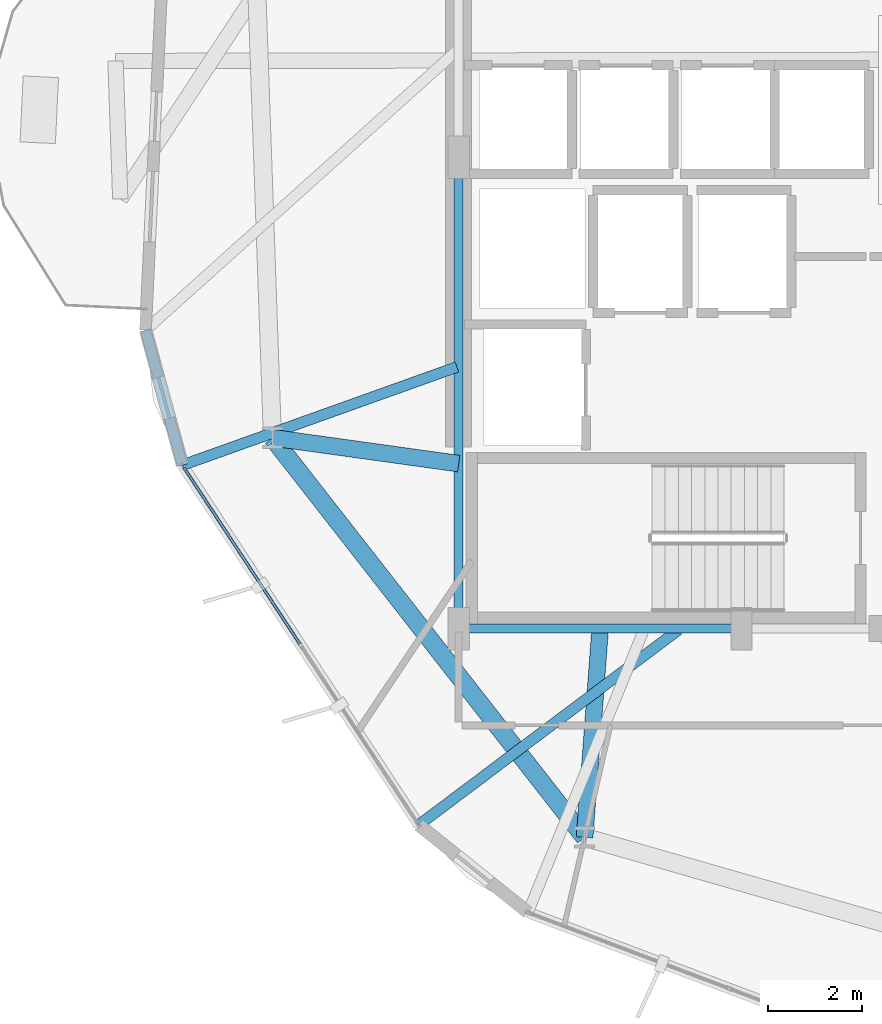
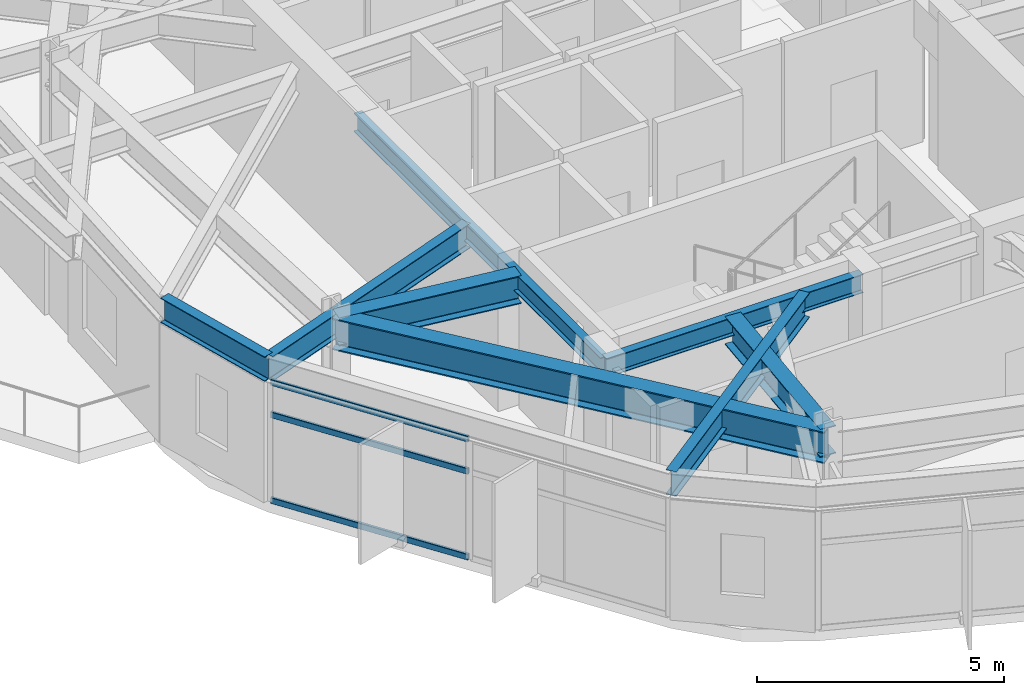
# One storey, part 3 of 25: 8 beams, 3 members, 1 element without a shape of its own.
"""IFC4 building model written with IfcOpenShell, lengths in metres."""

from ifc_helpers import new_model, si_unit, direction, frame, origin, origin_2d, place, context, subcontext, project, spatial, hollow_rectangle, i_section, extrude, material, layer, layer_set, material_profile, profile_set, type_object, element, aggregate, save


model = new_model("IFC4")

# Units and contexts
model_context = context("Model", 3, precision=1e-05, world=origin(), true_north=direction((0.0, 1.0)))
body_context = subcontext(model_context, "Body", "Model", "MODEL_VIEW")
ifc_project = project(units=[si_unit("LENGTHUNIT", "METRE"), si_unit("AREAUNIT", "SQUARE_METRE"), si_unit("VOLUMEUNIT", "CUBIC_METRE"), si_unit("PLANEANGLEUNIT", "RADIAN"), si_unit("MASSUNIT", "GRAM", prefix="KILO")], contexts=[model_context])

# Site, building, storey
site_placement = place(None, origin())
site = spatial("IfcSite", under=ifc_project, at=site_placement, CompositionType="ELEMENT")
building_placement = place(site_placement, origin())
building = spatial("IfcBuilding", under=site, at=building_placement, Name="Soratama Intermodal Tower", CompositionType="ELEMENT")
storey_placement = place(building_placement, frame((0.0, 0.0, 87.39990234375)))
storey = spatial("IfcBuildingStorey", under=building, at=storey_placement, Name="L20", CompositionType="ELEMENT", Elevation=87.39990234375)

# Beams
ifc_material_1 = material(Name="Structural steel ASTM A992 Grade 50", Category="steel")
ifc_material_profile_1 = material_profile(ifc_material_1, i_section(OverallWidth=0.19091796875, OverallDepth=0.4599609375, WebThickness=0.010009765625, FlangeThickness=0.01611328125, FilletRadius=0.010986328125, at=origin_2d()), Name="W18X55")
ifc_profile_set_1 = profile_set([ifc_material_profile_1], Name="Structural steel ASTM A992 Grade 50")
beam_type_1 = type_object("IfcBeamType", Name="BM-FLR-W18X55", PredefinedType="BEAM", material=ifc_profile_set_1)
beam_1_placement = place(storey_placement, frame((32.60009765625, 15.0, 3.3701171875), z_axis=(1.0, 0.0, 0.0), x_axis=(0.0, 1.0, 0.0)))
element("IfcBeam", 1, at=beam_1_placement, inside=storey, type_object=beam_type_1, Name="BM-L20-CRING-01", PredefinedType="BEAM", context=body_context, shape_type="SweptSolid", body=[
    extrude(i_section(OverallWidth=0.19091796875, OverallDepth=0.4599609375, WebThickness=0.010009765625, FlangeThickness=0.01611328125, FilletRadius=0.010986328125, at=origin_2d()), origin(), (0.0, 0.0, 1.0), 6.0),
])
beam_2_placement = place(storey_placement, frame((32.60009765625, 25.0, 3.3701171875), z_axis=(0.0, -1.0, 0.0), x_axis=(1.0, 0.0, 0.0)))
element("IfcBeam", 2, at=beam_2_placement, inside=storey, type_object=beam_type_1, Name="BM-L20-CRING-09", PredefinedType="BEAM", context=body_context, shape_type="SweptSolid", body=[
    extrude(i_section(OverallWidth=0.19091796875, OverallDepth=0.4599609375, WebThickness=0.010009765625, FlangeThickness=0.01611328125, FilletRadius=0.010986328125, at=origin_2d()), origin(), (0.0, 0.0, 1.0), 10.0),
])
ifc_material_2 = material(Name="Structural steel ASTM A992 Grade 50", Category="steel")
ifc_material_profile_2 = material_profile(ifc_material_2, i_section(OverallWidth=0.35498046875, OverallDepth=0.695068359375, WebThickness=0.015380859375, FlangeThickness=0.02490234375, FilletRadius=0.01611328125, at=origin_2d()), Name="W27X146")
ifc_profile_set_2 = profile_set([ifc_material_profile_2], Name="Structural steel ASTM A992 Grade 50")
beam_type_2 = type_object("IfcBeamType", Name="BM-RING-W27X146", PredefinedType="BEAM", material=ifc_profile_set_2)
beam_3_placement = place(storey_placement, frame((32.60009765625, 18.5, 3.252685546875), z_axis=(-0.990482077962, 0.137641756879, 0.0), x_axis=(-0.137641756879, -0.990482077962, 0.0)))
element("IfcBeam", 3, at=beam_3_placement, inside=storey, type_object=beam_type_2, Name="BM-L20-RAD-06", PredefinedType="BEAM", context=body_context, shape_type="SweptSolid", body=[
    extrude(i_section(OverallWidth=0.35498046875, OverallDepth=0.695068359375, WebThickness=0.015380859375, FlangeThickness=0.02490234375, FilletRadius=0.01611328125, at=origin_2d()), origin(), (0.0, 0.0, 1.0), 3.9892578125),
])
beam_4_placement = place(storey_placement, frame((35.60009765625, 15.0, 3.252685546875), z_axis=(-0.074386442563, -0.997229490721, 0.0), x_axis=(0.997229490721, -0.074386442563, 0.0)))
element("IfcBeam", 4, at=beam_4_placement, inside=storey, type_object=beam_type_2, Name="BM-L20-RAD-07", PredefinedType="BEAM", context=body_context, shape_type="SweptSolid", body=[
    extrude(i_section(OverallWidth=0.35498046875, OverallDepth=0.695068359375, WebThickness=0.015380859375, FlangeThickness=0.02490234375, FilletRadius=0.01611328125, at=origin_2d()), origin(), (0.0, 0.0, 1.0), 4.437255859375),
])
ifc_material_3 = material(Name="Structural steel ASTM A992 Grade 50", Category="steel")
ifc_material_profile_3 = material_profile(ifc_material_3, i_section(OverallWidth=0.382080078125, OverallDepth=0.779052734375, WebThickness=0.01806640625, FlangeThickness=0.030029296875, FilletRadius=0.01806640625, at=origin_2d()), Name="W30X191")
ifc_profile_set_3 = profile_set([ifc_material_profile_3], Name="Structural steel ASTM A992 Grade 50")
beam_type_3 = type_object("IfcBeamType", Name="BM-RING-W30X191", PredefinedType="BEAM", material=ifc_profile_set_3)
beam_5_placement = place(storey_placement, frame((28.64892578125, 19.049072265625, 3.210693359375), z_axis=(0.615683690883, -0.787993396407, 0.0), x_axis=(0.787993396407, 0.615683690883, 0.0)))
element("IfcBeam", 5, at=beam_5_placement, inside=storey, type_object=beam_type_3, Name="BM-L20-RING-06", PredefinedType="BEAM", context=body_context, shape_type="SweptSolid", body=[
    extrude(i_section(OverallWidth=0.382080078125, OverallDepth=0.779052734375, WebThickness=0.01806640625, FlangeThickness=0.030029296875, FilletRadius=0.01806640625, at=origin_2d()), origin(), (0.0, 0.0, 1.0), 10.754150390625),
])
ifc_material_4 = material(Name="Structural steel ASTM A992 Grade 50", Category="steel")
ifc_material_profile_4 = material_profile(ifc_material_4, i_section(OverallWidth=0.22900390625, OverallDepth=0.612060546875, WebThickness=0.011962890625, FlangeThickness=0.01953125, FilletRadius=0.012939453125, at=origin_2d()), Name="W24X84")
ifc_profile_set_4 = profile_set([ifc_material_profile_4], Name="Structural steel ASTM A992 Grade 50")
beam_type_4 = type_object("IfcBeamType", Name="BM-SPN-W24X84", PredefinedType="SPANDREL", material=ifc_profile_set_4)
beam_6_placement = place(storey_placement, frame((25.95703125, 21.327880859375, 3.294189453125), z_axis=(0.263973978063, -0.964529801979, 0.0), x_axis=(0.964529801979, 0.263973978063, 0.0)))
element("IfcBeam", 6, at=beam_6_placement, inside=storey, type_object=beam_type_4, Name="BS-L20-CRN05", PredefinedType="SPANDREL", context=body_context, shape_type="SweptSolid", body=[
    extrude(i_section(OverallWidth=0.22900390625, OverallDepth=0.612060546875, WebThickness=0.011962890625, FlangeThickness=0.01953125, FilletRadius=0.012939453125, at=origin_2d()), origin(), (0.0, 0.0, 1.0), 2.966064453125),
])
ifc_material_5 = material(Name="Structural steel ASTM A992 Grade 50", Category="steel")
ifc_material_profile_5 = material_profile(ifc_material_5, i_section(OverallWidth=0.22900390625, OverallDepth=0.612060546875, WebThickness=0.011962890625, FlangeThickness=0.01953125, FilletRadius=0.012939453125, at=origin_2d()), Name="W24X84")
ifc_profile_set_5 = profile_set([ifc_material_profile_5], Name="Structural steel ASTM A992 Grade 50")
beam_type_5 = type_object("IfcBeamType", Name="BM-TIE-W24X84", PredefinedType="BEAM", material=ifc_profile_set_5)
beam_7_placement = place(storey_placement, frame((32.56201171875, 20.550048828125, 3.294189453125), z_axis=(-0.941551492068, -0.336869095917, 0.0), x_axis=(0.336869095917, -0.941551492068, 0.0)))
element("IfcBeam", 7, at=beam_7_placement, inside=storey, type_object=beam_type_5, Name="BM-L20-TIE0-06", PredefinedType="BEAM", context=body_context, shape_type="SweptSolid", body=[
    extrude(i_section(OverallWidth=0.22900390625, OverallDepth=0.612060546875, WebThickness=0.011962890625, FlangeThickness=0.01953125, FilletRadius=0.012939453125, at=origin_2d()), origin(), (0.0, 0.0, 1.0), 6.183349609375),
])
beam_8_placement = place(storey_placement, frame((37.262939453125, 14.97607421875, 3.294189453125), z_axis=(-0.799519458228, -0.600640188395, 0.0), x_axis=(0.600640188395, -0.799519458228, 0.0)))
element("IfcBeam", 8, at=beam_8_placement, inside=storey, type_object=beam_type_5, Name="BM-L20-TIE1-06", PredefinedType="BEAM", context=body_context, shape_type="SweptSolid", body=[
    extrude(i_section(OverallWidth=0.22900390625, OverallDepth=0.612060546875, WebThickness=0.011962890625, FlangeThickness=0.01953125, FilletRadius=0.012939453125, at=origin_2d()), origin(), (0.0, 0.0, 1.0), 6.892822265625),
])

# Curtain wall, members
ifc_material_6 = material(Name="Double-glazed aluminium curtain wall", Category="aluminium")
ifc_layer = layer(ifc_material_6, 0.159912109375)
ifc_layer_set = layer_set([ifc_layer], Name="Double-glazed aluminium curtain wall")
curtain_wall_type = type_object("IfcCurtainWallType", Name="CW-SYS-3", PredefinedType="NOTDEFINED", material=ifc_layer_set)
curtain_wall_placement = place(storey_placement, origin())
curtain_wall = element("IfcCurtainWall", 9, at=curtain_wall_placement, inside=storey, type_object=curtain_wall_type, Name="L20 Faceted Curtain Wall F06", PredefinedType="NOTDEFINED")
ifc_material_7 = material(Name="Anodised aluminium AA 6063-T6", Category="aluminium")
ifc_material_profile_6 = material_profile(ifc_material_7, hollow_rectangle(XDim=0.06494140625, YDim=0.14990234375, WallThickness=0.0048828125, InnerFilletRadius=0.0048828125, OuterFilletRadius=0.010009765625, at=origin_2d()), Name="CWT150X65X5")
ifc_profile_set_6 = profile_set([ifc_material_profile_6], Name="Anodised aluminium AA 6063-T6")
member_type = type_object("IfcMemberType", Name="TT-CWT-1", PredefinedType="USERDEFINED", material=ifc_profile_set_6)
member_1_placement = place(storey_placement, frame((26.772705078125, 18.416748046875, 0.030029296875), z_axis=(0.549009133832, -0.835816350025, 0.0), x_axis=(0.835816350025, 0.549009133832, 0.0)))
member_1 = element("IfcMember", 10, at=member_1_placement, type_object=member_type, Name="CW-3 transom 1.1", ObjectType="TRANSOM", PredefinedType="USERDEFINED", context=body_context, shape_type="SweptSolid", body=[
    extrude(hollow_rectangle(XDim=0.06494140625, YDim=0.14990234375, WallThickness=0.0048828125, InnerFilletRadius=0.0048828125, OuterFilletRadius=0.010009765625, at=origin_2d()), origin(), (0.0, 0.0, 1.0), 4.474853515625),
])
member_2_placement = place(storey_placement, frame((26.772705078125, 18.416748046875, 2.150146484375), z_axis=(0.549009133832, -0.835816350025, 0.0), x_axis=(0.835816350025, 0.549009133832, 0.0)))
member_2 = element("IfcMember", 11, at=member_2_placement, type_object=member_type, Name="CW-3 transom 1.2", ObjectType="TRANSOM", PredefinedType="USERDEFINED", context=body_context, shape_type="SweptSolid", body=[
    extrude(hollow_rectangle(XDim=0.06494140625, YDim=0.14990234375, WallThickness=0.0048828125, InnerFilletRadius=0.0048828125, OuterFilletRadius=0.010009765625, at=origin_2d()), origin(), (0.0, 0.0, 1.0), 4.474853515625),
])
member_3_placement = place(storey_placement, frame((26.772705078125, 18.416748046875, 2.94921875), z_axis=(0.549009133832, -0.835816350025, 0.0), x_axis=(0.835816350025, 0.549009133832, 0.0)))
member_3 = element("IfcMember", 12, at=member_3_placement, type_object=member_type, Name="CW-3 transom 1.3", ObjectType="TRANSOM", PredefinedType="USERDEFINED", context=body_context, shape_type="SweptSolid", body=[
    extrude(hollow_rectangle(XDim=0.06494140625, YDim=0.14990234375, WallThickness=0.0048828125, InnerFilletRadius=0.0048828125, OuterFilletRadius=0.010009765625, at=origin_2d()), origin(), (0.0, 0.0, 1.0), 4.474853515625),
])
aggregate(curtain_wall, [member_1, member_2, member_3])

save(model, "model.ifc")
